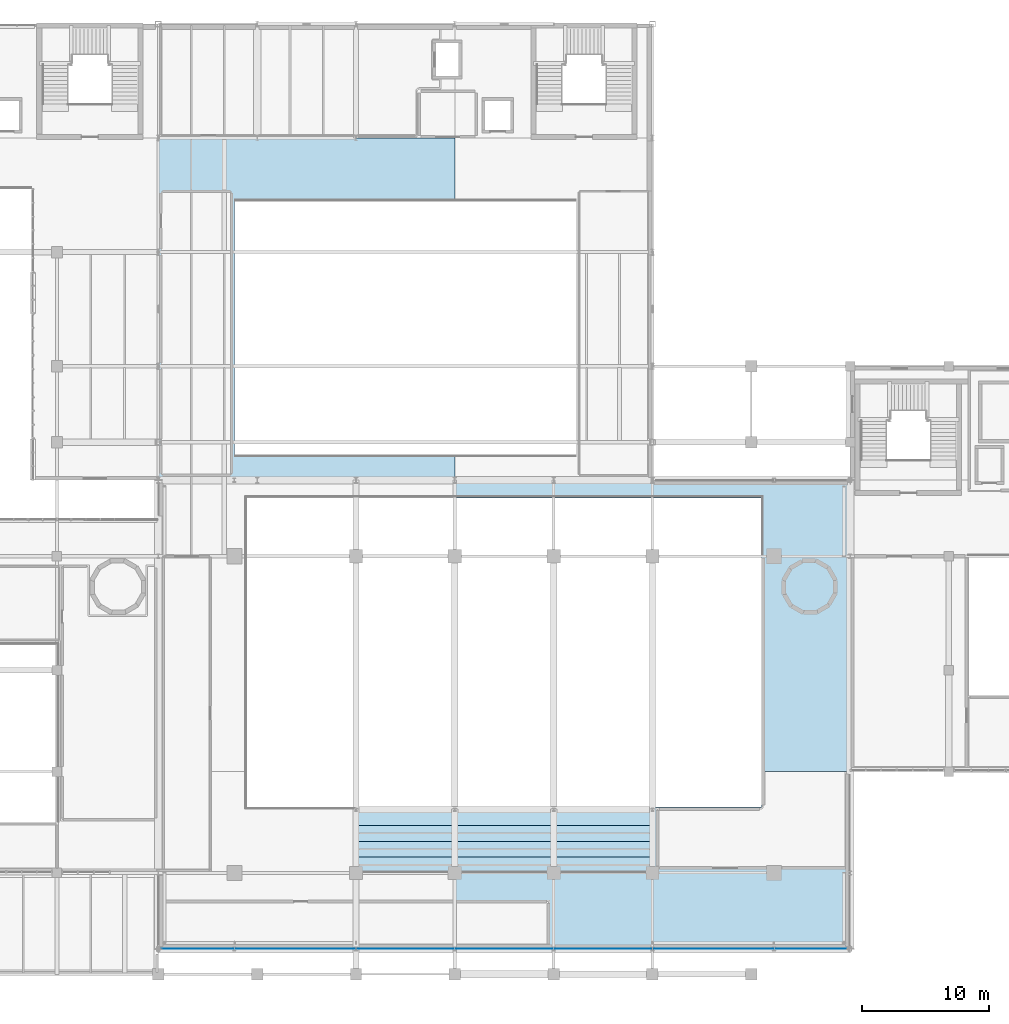
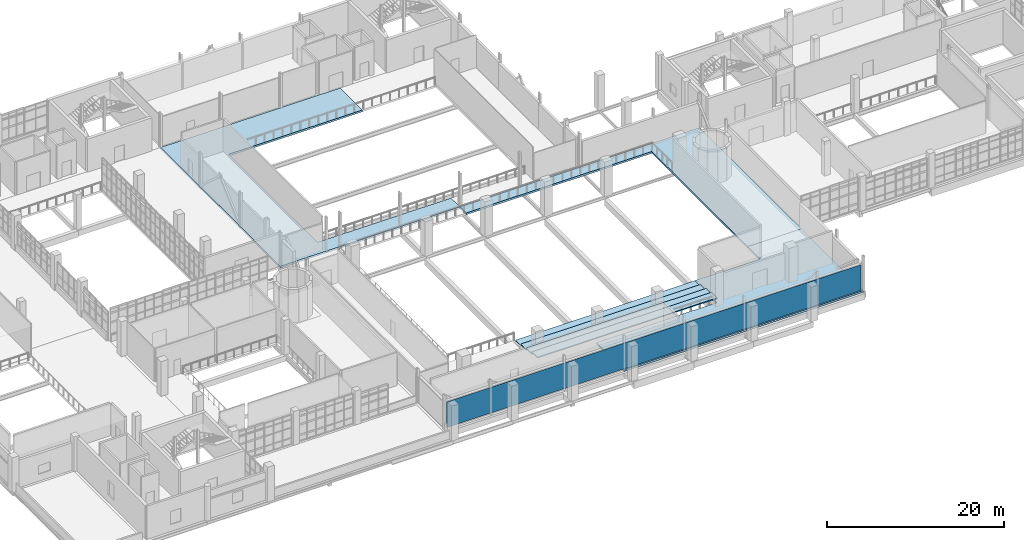
# One storey, part 71 of 102: 7 slabs, 1 plate.
"""IFC4 building model written with IfcOpenShell, lengths in metres."""

from ifc_helpers import new_model, si_unit, derived_unit, direction, frame, origin, origin_2d, place, context, subcontext, project, spatial, polyline, rectangle, outline, extrude, material, layer, layer_set, type_object, element, save


model = new_model("IFC4")

# Units and contexts
model_context = context("Model", 3, precision=1e-05, world=origin(), true_north=direction((0.0, 1.0)))
body_context = subcontext(model_context, "Body", "Model", "MODEL_VIEW")
ifc_project = project(units=[si_unit("LENGTHUNIT", "METRE"), si_unit("AREAUNIT", "SQUARE_METRE"), si_unit("VOLUMEUNIT", "CUBIC_METRE"), si_unit("PLANEANGLEUNIT", "RADIAN"), si_unit("MASSUNIT", "GRAM", prefix="KILO"), derived_unit("THERMALTRANSMITTANCEUNIT", [(si_unit("POWERUNIT", "WATT"), 1), (si_unit("LENGTHUNIT", "METRE"), -2), (si_unit("THERMODYNAMICTEMPERATUREUNIT", "KELVIN"), -1)])], contexts=[model_context])

# Site, building, storey
site_placement = place(None, origin())
site = spatial("IfcSite", under=ifc_project, at=site_placement, CompositionType="ELEMENT")
building_placement = place(site_placement, origin())
building = spatial("IfcBuilding", under=site, at=building_placement, Name="Nallur Shell Playhouse", CompositionType="ELEMENT")
storey_placement = place(building_placement, frame((0.0, 0.0, 15.0)))
storey = spatial("IfcBuildingStorey", under=building, at=storey_placement, Name="L04", CompositionType="ELEMENT", Elevation=15.0)

# Plate
ifc_material_1 = material(Name="Gold-Anodised Perforated Aluminium Acoustic Cladding", Category="aluminium")
ifc_layer_1 = layer(ifc_material_1, 0.013916015625)
ifc_layer_set_1 = layer_set([ifc_layer_1], Name="Gold-Anodised Perforated Aluminium Acoustic Cladding")
plate_type = type_object("IfcPlateType", Name="PT-GOLD-05", PredefinedType="SHEET", material=ifc_layer_set_1)
plate_placement = place(storey_placement, frame((91.300048828125, 10.02197265625, 0.10009765625), z_axis=(0.0, 0.0, 1.0), x_axis=(-1.0, 0.0, 0.0)))
element("IfcPlate", 1, at=plate_placement, inside=storey, type_object=plate_type, Name="Gold-anodised perforated aluminium cladding GC-011", PredefinedType="SHEET", context=body_context, shape_type="SweptSolid", body=[
    extrude(rectangle(XDim=54.030029296875, YDim=0.02197265625, at=origin_2d()), origin(), (0.0, 0.0, 1.0), 3.534912109375),
])

# Slabs
ifc_material_2 = material(Name="Concrete M30", Category="concrete")
ifc_layer_2 = layer(ifc_material_2, 0.260009765625)
ifc_layer_set_2 = layer_set([ifc_layer_2], Name="Concrete M30")
slab_type_1 = type_object("IfcSlabType", Name="SL-FLOOR-260", PredefinedType="FLOOR", material=ifc_layer_set_2)
slab_1_placement = place(storey_placement, frame((0.0, 0.0, -0.260009765625)))
element("IfcSlab", 2, at=slab_1_placement, inside=storey, type_object=slab_type_1, Name="L04 structural floor slab panel 11", PredefinedType="FLOOR", context=body_context, shape_type="SweptSolid", body=[
    extrude(outline(polyline([(70.0, 69.0), (70.0, 49.0), (87.39990234375, 49.0), (87.39990234375, 47.0), (64.0, 47.0), (64.0, 74.0), (87.39990234375, 74.0), (87.39990234375, 69.0), (70.0, 69.0)])), origin(), (0.0, 0.0, 1.0), 0.260009765625),
])
slab_2_placement = place(storey_placement, frame((0.0, 0.0, -0.260009765625)))
element("IfcSlab", 3, at=slab_2_placement, inside=storey, type_object=slab_type_1, Name="L04 structural floor slab panel 13", PredefinedType="FLOOR", context=body_context, shape_type="SweptSolid", body=[
    extrude(outline(polyline([(118.60009765625, 10.0), (87.39990234375, 10.0), (87.39990234375, 16.199951171875), (103.10009765625, 16.199951171875), (103.10009765625, 21.199951171875), (111.60009765625, 21.199951171875), (111.60009765625, 24.0), (118.60009765625, 24.0), (118.60009765625, 10.0)])), origin(), (0.0, 0.0, 1.0), 0.260009765625),
])
slab_3_placement = place(storey_placement, frame((0.0, 0.0, -0.260009765625)))
element("IfcSlab", 4, at=slab_3_placement, inside=storey, type_object=slab_type_1, Name="L04 structural floor slab panel 14", PredefinedType="FLOOR", context=body_context, shape_type="SweptSolid", body=[
    extrude(outline(polyline([(118.60009765625, 47.0), (118.60009765625, 24.0), (111.60009765625, 24.0), (111.60009765625, 45.60009765625), (87.39990234375, 45.60009765625), (87.39990234375, 47.0), (103.0, 47.0), (118.60009765625, 47.0)])), origin(), (0.0, 0.0, 1.0), 0.260009765625),
])
ifc_material_3 = material(Name="Precast concrete M40", Category="concrete")
ifc_layer_3 = layer(ifc_material_3, 0.139892578125)
ifc_layer_set_3 = layer_set([ifc_layer_3], Name="Precast concrete M40")
slab_type_2 = type_object("IfcSlabType", Name="SL-TIER-140", PredefinedType="USERDEFINED", material=ifc_layer_set_3)
slab_4_placement = place(storey_placement, frame((0.0, 0.0, 0.010009765625)))
element("IfcSlab", 5, at=slab_4_placement, inside=storey, type_object=slab_type_2, Name="Stand upper seating tier row 1", ObjectType="SEATING TIER", PredefinedType="USERDEFINED", context=body_context, shape_type="SweptSolid", body=[
    extrude(outline(polyline([(79.60009765625, 21.0), (103.0, 21.0), (103.0, 19.75), (79.60009765625, 19.75), (79.60009765625, 21.0)])), origin(), (0.0, 0.0, 1.0), 0.139892578125),
])
slab_5_placement = place(storey_placement, frame((0.0, 0.0, 0.22998046875)))
element("IfcSlab", 6, at=slab_5_placement, inside=storey, type_object=slab_type_2, Name="Stand upper seating tier row 2", ObjectType="SEATING TIER", PredefinedType="USERDEFINED", context=body_context, shape_type="SweptSolid", body=[
    extrude(outline(polyline([(79.60009765625, 19.75), (103.0, 19.75), (103.0, 18.5), (79.60009765625, 18.5), (79.60009765625, 19.75)])), origin(), (0.0, 0.0, 1.0), 0.14013671875),
])
slab_6_placement = place(storey_placement, frame((0.0, 0.0, 0.449951171875)))
element("IfcSlab", 7, at=slab_6_placement, inside=storey, type_object=slab_type_2, Name="Stand upper seating tier row 3", ObjectType="SEATING TIER", PredefinedType="USERDEFINED", context=body_context, shape_type="SweptSolid", body=[
    extrude(outline(polyline([(79.60009765625, 18.5), (103.0, 18.5), (103.0, 17.25), (79.60009765625, 17.25), (79.60009765625, 18.5)])), origin(), (0.0, 0.0, 1.0), 0.14013671875),
])
slab_7_placement = place(storey_placement, frame((0.0, 0.0, 0.669921875)))
element("IfcSlab", 8, at=slab_7_placement, inside=storey, type_object=slab_type_2, Name="Stand upper seating tier row 4", ObjectType="SEATING TIER", PredefinedType="USERDEFINED", context=body_context, shape_type="SweptSolid", body=[
    extrude(outline(polyline([(79.60009765625, 17.25), (103.0, 17.25), (103.0, 16.0), (79.60009765625, 16.0), (79.60009765625, 17.25)])), origin(), (0.0, 0.0, 1.0), 0.14013671875),
])

save(model, "model.ifc")
